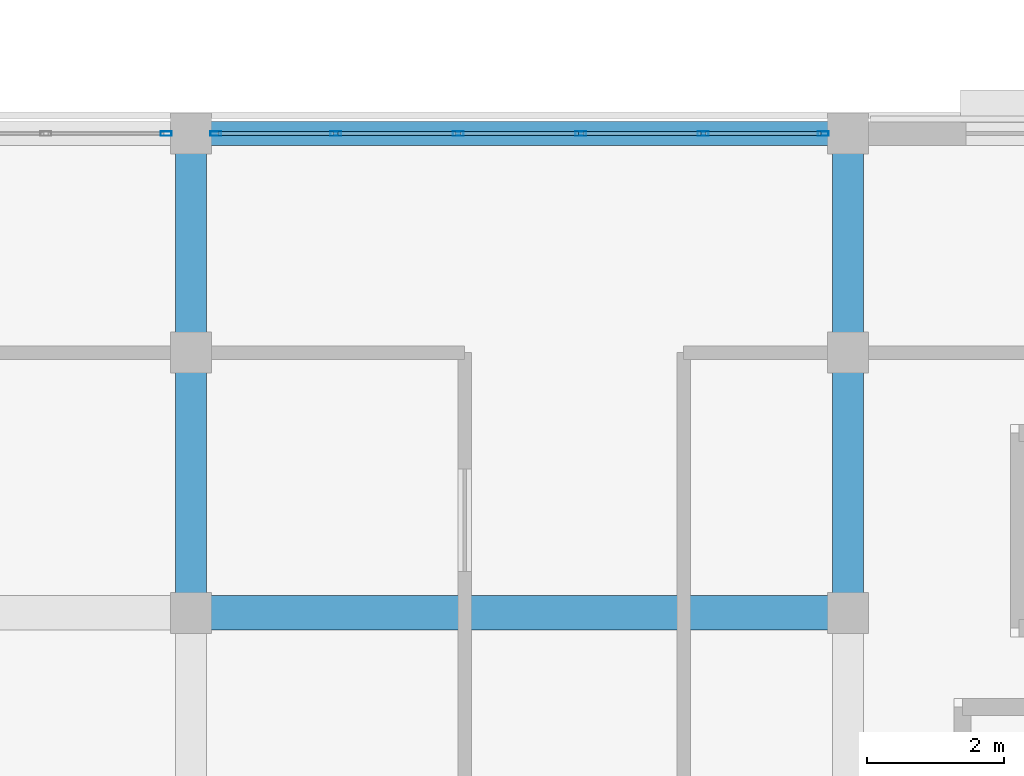
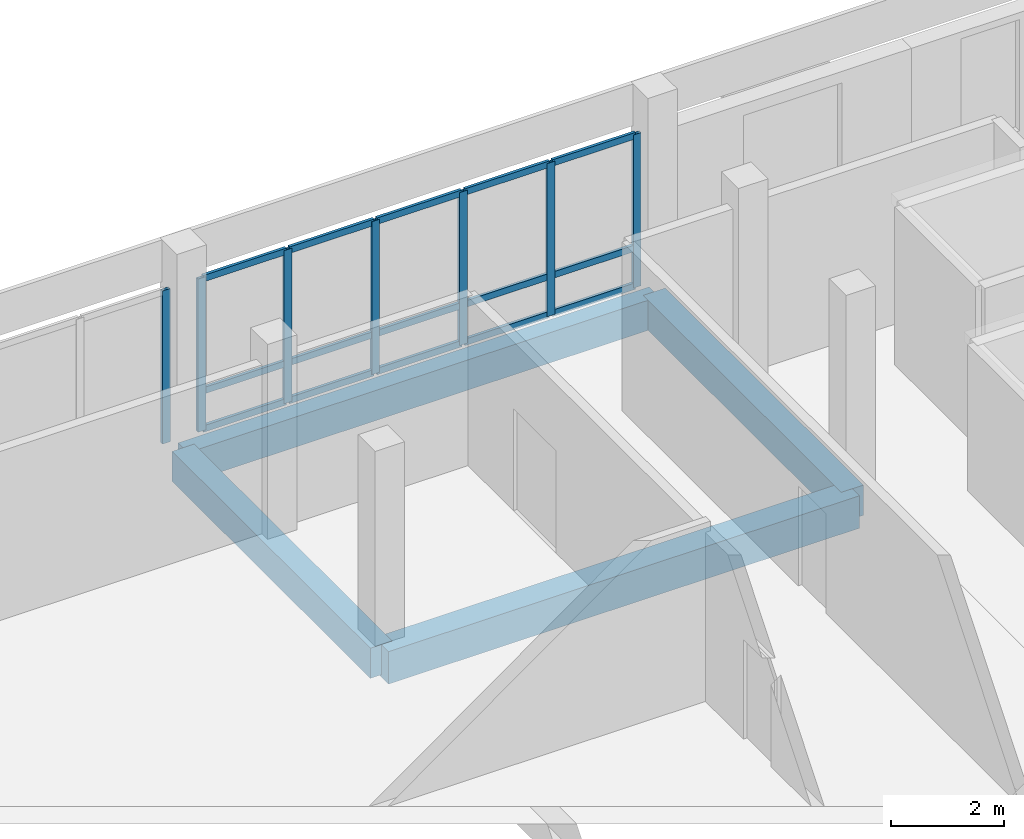
# One storey, part 58 of 93: 22 members, 4 beams, 2 elements without a shape of their own.
"""IFC4 building model written with IfcOpenShell, lengths in metres."""

from ifc_helpers import new_model, si_unit, direction, frame, origin, origin_2d, place, context, subcontext, project, spatial, rectangle, hollow_rectangle, extrude, material, material_profile, profile_set, type_object, element, aggregate, save


model = new_model("IFC4")

# Units and contexts
model_context = context("Model", 3, precision=1e-05, world=origin(), true_north=direction((0.0, 1.0)))
body_context = subcontext(model_context, "Body", "Model", "MODEL_VIEW")
ifc_project = project(units=[si_unit("LENGTHUNIT", "METRE"), si_unit("AREAUNIT", "SQUARE_METRE"), si_unit("VOLUMEUNIT", "CUBIC_METRE"), si_unit("PLANEANGLEUNIT", "RADIAN"), si_unit("MASSUNIT", "GRAM", prefix="KILO")], contexts=[model_context])

# Site, building, storey
site_placement = place(None, origin())
site = spatial("IfcSite", under=ifc_project, at=site_placement, CompositionType="ELEMENT")
building_placement = place(site_placement, origin())
building = spatial("IfcBuilding", under=site, at=building_placement, Name="Vondelvale Polytechnic", CompositionType="ELEMENT")
storey_placement = place(building_placement, frame((0.0, 0.0, 18.0)))
storey = spatial("IfcBuildingStorey", under=building, at=storey_placement, Name="L04", CompositionType="ELEMENT", Elevation=18.0)

# Beams
ifc_material_1 = material(Name="Concrete N40 (f'c = 40 MPa)", Category="concrete")
ifc_material_profile_1 = material_profile(ifc_material_1, rectangle(XDim=0.449951171875, YDim=0.64990234375, at=origin_2d()), Name="RC-BM-450x650")
ifc_profile_set_1 = profile_set([ifc_material_profile_1], Name="Concrete N40 (f'c = 40 MPa)")
beam_type_1 = type_object("IfcBeamType", Name="BM-RC450x650", PredefinedType="BEAM", material=ifc_profile_set_1)
for number, where, z_axis, x_axis, name in (
    (1, (144.0, 20.39990234375, -0.574951171875), (0.0, 1.0, 0.0), (-1.0, 0.0, 0.0), "L04 B B-04"),
    (2, (153.60009765625, 20.39990234375, -0.574951171875), (0.0, 1.0, 0.0), (-1.0, 0.0, 0.0), "L04 B B-04"),
):
    element("IfcBeam", number, at=place(storey_placement, frame(where, z_axis=z_axis, x_axis=x_axis)), inside=storey, type_object=beam_type_1, Name=name, PredefinedType="BEAM", context=body_context, shape_type="SweptSolid", body=[
        extrude(rectangle(XDim=0.449951171875, YDim=0.64990234375, at=origin_2d()), origin(), (0.0, 0.0, 1.0), 7.0),
    ])
ifc_material_profile_2 = material_profile(ifc_material_1, rectangle(XDim=0.5, YDim=0.699951171875, at=origin_2d()), Name="RC-BM-500x700")
ifc_profile_set_2 = profile_set([ifc_material_profile_2], Name="Concrete N40 (f'c = 40 MPa)")
beam_type_2 = type_object("IfcBeamType", Name="BM-RC500x700", PredefinedType="BEAM", material=ifc_profile_set_2)
beam_1_placement = place(storey_placement, frame((144.0, 20.39990234375, -0.60009765625), z_axis=(1.0, 0.0, 0.0), x_axis=(0.0, 1.0, 0.0)))
element("IfcBeam", 3, at=beam_1_placement, inside=storey, type_object=beam_type_2, Name="L04 B B-03", PredefinedType="BEAM", context=body_context, shape_type="SweptSolid", body=[
    extrude(rectangle(XDim=0.5, YDim=0.699951171875, at=origin_2d()), origin(), (0.0, 0.0, 1.0), 9.60009765625),
])

# Curtain wall, member
ifc_material_2 = material(Name="Anodised extruded aluminium 6063-T6", Category="aluminium")
curtain_wall_type = type_object("IfcCurtainWallType", Name="CW-STUDIO-NORTH", PredefinedType="NOTDEFINED", material=ifc_material_2)
curtain_wall_1_placement = place(storey_placement, origin())
curtain_wall_1 = element("IfcCurtainWall", 4, at=curtain_wall_1_placement, inside=storey, type_object=curtain_wall_type, Name="L04 architectural curtain wall CW-01-068", PredefinedType="NOTDEFINED")
ifc_material_profile_3 = material_profile(ifc_material_2, hollow_rectangle(XDim=0.06494140625, YDim=0.159912109375, WallThickness=0.0048828125, at=origin_2d()), Name="CW-MUL-160x65")
ifc_profile_set_3 = profile_set([ifc_material_profile_3], Name="Anodised extruded aluminium 6063-T6")
member_type_1 = type_object("IfcMemberType", Name="CW-MUL-65x160", PredefinedType="MULLION", material=ifc_profile_set_3)
member_1_placement = place(storey_placement, frame((143.637451171875, 27.39990234375, 0.0), z_axis=(0.0, 0.0, 1.0), x_axis=(0.0, 1.0, 0.0)))
member_1 = element("IfcMember", 5, at=member_1_placement, type_object=member_type_1, Name="CW-01-068 mullion 6", PredefinedType="MULLION", context=body_context, shape_type="SweptSolid", body=[
    extrude(hollow_rectangle(XDim=0.06494140625, YDim=0.159912109375, WallThickness=0.0048828125, at=origin_2d()), origin(), (0.0, 0.0, 1.0), 3.300048828125),
])
aggregate(curtain_wall_1, [member_1])

# Curtain wall, members
curtain_wall_2_placement = place(storey_placement, origin())
curtain_wall_2 = element("IfcCurtainWall", 6, at=curtain_wall_2_placement, inside=storey, type_object=curtain_wall_type, Name="L04 architectural curtain wall CW-01-069", PredefinedType="NOTDEFINED")
member_2_placement = place(storey_placement, frame((144.362548828125, 27.39990234375, 0.0), z_axis=(0.0, 0.0, 1.0), x_axis=(0.0, 1.0, 0.0)))
member_2 = element("IfcMember", 7, at=member_2_placement, type_object=member_type_1, Name="CW-01-069 mullion 1", PredefinedType="MULLION", context=body_context, shape_type="SweptSolid", body=[
    extrude(hollow_rectangle(XDim=0.06494140625, YDim=0.159912109375, WallThickness=0.0048828125, at=origin_2d()), origin(), (0.0, 0.0, 1.0), 3.300048828125),
])
member_3_placement = place(storey_placement, frame((146.117919921875, 27.39990234375, 0.0), z_axis=(0.0, 0.0, 1.0), x_axis=(0.0, 1.0, 0.0)))
member_3 = element("IfcMember", 8, at=member_3_placement, type_object=member_type_1, Name="CW-01-069 mullion 2", PredefinedType="MULLION", context=body_context, shape_type="SweptSolid", body=[
    extrude(hollow_rectangle(XDim=0.06494140625, YDim=0.159912109375, WallThickness=0.0048828125, at=origin_2d()), origin(), (0.0, 0.0, 1.0), 3.300048828125),
])
member_4_placement = place(storey_placement, frame((147.906005859375, 27.39990234375, 0.0), z_axis=(0.0, 0.0, 1.0), x_axis=(0.0, 1.0, 0.0)))
member_4 = element("IfcMember", 9, at=member_4_placement, type_object=member_type_1, Name="CW-01-069 mullion 3", PredefinedType="MULLION", context=body_context, shape_type="SweptSolid", body=[
    extrude(hollow_rectangle(XDim=0.06494140625, YDim=0.159912109375, WallThickness=0.0048828125, at=origin_2d()), origin(), (0.0, 0.0, 1.0), 3.300048828125),
])
member_5_placement = place(storey_placement, frame((149.694091796875, 27.39990234375, 0.0), z_axis=(0.0, 0.0, 1.0), x_axis=(0.0, 1.0, 0.0)))
member_5 = element("IfcMember", 10, at=member_5_placement, type_object=member_type_1, Name="CW-01-069 mullion 4", PredefinedType="MULLION", context=body_context, shape_type="SweptSolid", body=[
    extrude(hollow_rectangle(XDim=0.06494140625, YDim=0.159912109375, WallThickness=0.0048828125, at=origin_2d()), origin(), (0.0, 0.0, 1.0), 3.300048828125),
])
member_6_placement = place(storey_placement, frame((151.48193359375, 27.39990234375, 0.0), z_axis=(0.0, 0.0, 1.0), x_axis=(0.0, 1.0, 0.0)))
member_6 = element("IfcMember", 11, at=member_6_placement, type_object=member_type_1, Name="CW-01-069 mullion 5", PredefinedType="MULLION", context=body_context, shape_type="SweptSolid", body=[
    extrude(hollow_rectangle(XDim=0.06494140625, YDim=0.159912109375, WallThickness=0.0048828125, at=origin_2d()), origin(), (0.0, 0.0, 1.0), 3.300048828125),
])
member_7_placement = place(storey_placement, frame((153.237548828125, 27.39990234375, 0.0), z_axis=(0.0, 0.0, 1.0), x_axis=(0.0, 1.0, 0.0)))
member_7 = element("IfcMember", 12, at=member_7_placement, type_object=member_type_1, Name="CW-01-069 mullion 6", PredefinedType="MULLION", context=body_context, shape_type="SweptSolid", body=[
    extrude(hollow_rectangle(XDim=0.06494140625, YDim=0.159912109375, WallThickness=0.0048828125, at=origin_2d()), origin(), (0.0, 0.0, 1.0), 3.300048828125),
])
ifc_material_profile_4 = material_profile(ifc_material_2, hollow_rectangle(XDim=0.06005859375, YDim=0.139892578125, WallThickness=0.00341796875, at=origin_2d()), Name="CW-TRN-140x60")
ifc_profile_set_4 = profile_set([ifc_material_profile_4], Name="Anodised extruded aluminium 6063-T6")
member_type_2 = type_object("IfcMemberType", Name="CW-TRN-60x140", PredefinedType="USERDEFINED", material=ifc_profile_set_4)
member_8_placement = place(storey_placement, frame((144.39501953125, 27.39990234375, 0.030029296875), z_axis=(1.0, 0.0, 0.0), x_axis=(0.0, 1.0, 0.0)))
member_8 = element("IfcMember", 13, at=member_8_placement, type_object=member_type_2, Name="CW-01-069 transom 1.1", ObjectType="TRANSOM", PredefinedType="USERDEFINED", context=body_context, shape_type="SweptSolid", body=[
    extrude(hollow_rectangle(XDim=0.06005859375, YDim=0.139892578125, WallThickness=0.00341796875, at=origin_2d()), origin(), (0.0, 0.0, 1.0), 1.6904296875),
])
member_9_placement = place(storey_placement, frame((144.39501953125, 27.39990234375, 0.85009765625), z_axis=(1.0, 0.0, 0.0), x_axis=(0.0, 1.0, 0.0)))
member_9 = element("IfcMember", 14, at=member_9_placement, type_object=member_type_2, Name="CW-01-069 transom 1.2", ObjectType="TRANSOM", PredefinedType="USERDEFINED", context=body_context, shape_type="SweptSolid", body=[
    extrude(hollow_rectangle(XDim=0.06005859375, YDim=0.139892578125, WallThickness=0.00341796875, at=origin_2d()), origin(), (0.0, 0.0, 1.0), 1.6904296875),
])
member_10_placement = place(storey_placement, frame((144.39501953125, 27.39990234375, 3.27001953125), z_axis=(1.0, 0.0, 0.0), x_axis=(0.0, 1.0, 0.0)))
member_10 = element("IfcMember", 15, at=member_10_placement, type_object=member_type_2, Name="CW-01-069 transom 1.3", ObjectType="TRANSOM", PredefinedType="USERDEFINED", context=body_context, shape_type="SweptSolid", body=[
    extrude(hollow_rectangle(XDim=0.06005859375, YDim=0.139892578125, WallThickness=0.00341796875, at=origin_2d()), origin(), (0.0, 0.0, 1.0), 1.6904296875),
])
member_11_placement = place(storey_placement, frame((146.150390625, 27.39990234375, 0.030029296875), z_axis=(1.0, 0.0, 0.0), x_axis=(0.0, 1.0, 0.0)))
member_11 = element("IfcMember", 16, at=member_11_placement, type_object=member_type_2, Name="CW-01-069 transom 2.1", ObjectType="TRANSOM", PredefinedType="USERDEFINED", context=body_context, shape_type="SweptSolid", body=[
    extrude(hollow_rectangle(XDim=0.06005859375, YDim=0.139892578125, WallThickness=0.00341796875, at=origin_2d()), origin(), (0.0, 0.0, 1.0), 1.72314453125),
])
member_12_placement = place(storey_placement, frame((146.150390625, 27.39990234375, 0.85009765625), z_axis=(1.0, 0.0, 0.0), x_axis=(0.0, 1.0, 0.0)))
member_12 = element("IfcMember", 17, at=member_12_placement, type_object=member_type_2, Name="CW-01-069 transom 2.2", ObjectType="TRANSOM", PredefinedType="USERDEFINED", context=body_context, shape_type="SweptSolid", body=[
    extrude(hollow_rectangle(XDim=0.06005859375, YDim=0.139892578125, WallThickness=0.00341796875, at=origin_2d()), origin(), (0.0, 0.0, 1.0), 1.72314453125),
])
member_13_placement = place(storey_placement, frame((146.150390625, 27.39990234375, 3.27001953125), z_axis=(1.0, 0.0, 0.0), x_axis=(0.0, 1.0, 0.0)))
member_13 = element("IfcMember", 18, at=member_13_placement, type_object=member_type_2, Name="CW-01-069 transom 2.3", ObjectType="TRANSOM", PredefinedType="USERDEFINED", context=body_context, shape_type="SweptSolid", body=[
    extrude(hollow_rectangle(XDim=0.06005859375, YDim=0.139892578125, WallThickness=0.00341796875, at=origin_2d()), origin(), (0.0, 0.0, 1.0), 1.72314453125),
])
member_14_placement = place(storey_placement, frame((147.9384765625, 27.39990234375, 0.030029296875), z_axis=(1.0, 0.0, 0.0), x_axis=(0.0, 1.0, 0.0)))
member_14 = element("IfcMember", 19, at=member_14_placement, type_object=member_type_2, Name="CW-01-069 transom 3.1", ObjectType="TRANSOM", PredefinedType="USERDEFINED", context=body_context, shape_type="SweptSolid", body=[
    extrude(hollow_rectangle(XDim=0.06005859375, YDim=0.139892578125, WallThickness=0.00341796875, at=origin_2d()), origin(), (0.0, 0.0, 1.0), 1.72314453125),
])
member_15_placement = place(storey_placement, frame((147.9384765625, 27.39990234375, 0.85009765625), z_axis=(1.0, 0.0, 0.0), x_axis=(0.0, 1.0, 0.0)))
member_15 = element("IfcMember", 20, at=member_15_placement, type_object=member_type_2, Name="CW-01-069 transom 3.2", ObjectType="TRANSOM", PredefinedType="USERDEFINED", context=body_context, shape_type="SweptSolid", body=[
    extrude(hollow_rectangle(XDim=0.06005859375, YDim=0.139892578125, WallThickness=0.00341796875, at=origin_2d()), origin(), (0.0, 0.0, 1.0), 1.72314453125),
])
member_16_placement = place(storey_placement, frame((147.9384765625, 27.39990234375, 3.27001953125), z_axis=(1.0, 0.0, 0.0), x_axis=(0.0, 1.0, 0.0)))
member_16 = element("IfcMember", 21, at=member_16_placement, type_object=member_type_2, Name="CW-01-069 transom 3.3", ObjectType="TRANSOM", PredefinedType="USERDEFINED", context=body_context, shape_type="SweptSolid", body=[
    extrude(hollow_rectangle(XDim=0.06005859375, YDim=0.139892578125, WallThickness=0.00341796875, at=origin_2d()), origin(), (0.0, 0.0, 1.0), 1.72314453125),
])
member_17_placement = place(storey_placement, frame((149.7265625, 27.39990234375, 0.030029296875), z_axis=(1.0, 0.0, 0.0), x_axis=(0.0, 1.0, 0.0)))
member_17 = element("IfcMember", 22, at=member_17_placement, type_object=member_type_2, Name="CW-01-069 transom 4.1", ObjectType="TRANSOM", PredefinedType="USERDEFINED", context=body_context, shape_type="SweptSolid", body=[
    extrude(hollow_rectangle(XDim=0.06005859375, YDim=0.139892578125, WallThickness=0.00341796875, at=origin_2d()), origin(), (0.0, 0.0, 1.0), 1.722900390625),
])
member_18_placement = place(storey_placement, frame((149.7265625, 27.39990234375, 0.85009765625), z_axis=(1.0, 0.0, 0.0), x_axis=(0.0, 1.0, 0.0)))
member_18 = element("IfcMember", 23, at=member_18_placement, type_object=member_type_2, Name="CW-01-069 transom 4.2", ObjectType="TRANSOM", PredefinedType="USERDEFINED", context=body_context, shape_type="SweptSolid", body=[
    extrude(hollow_rectangle(XDim=0.06005859375, YDim=0.139892578125, WallThickness=0.00341796875, at=origin_2d()), origin(), (0.0, 0.0, 1.0), 1.722900390625),
])
member_19_placement = place(storey_placement, frame((149.7265625, 27.39990234375, 3.27001953125), z_axis=(1.0, 0.0, 0.0), x_axis=(0.0, 1.0, 0.0)))
member_19 = element("IfcMember", 24, at=member_19_placement, type_object=member_type_2, Name="CW-01-069 transom 4.3", ObjectType="TRANSOM", PredefinedType="USERDEFINED", context=body_context, shape_type="SweptSolid", body=[
    extrude(hollow_rectangle(XDim=0.06005859375, YDim=0.139892578125, WallThickness=0.00341796875, at=origin_2d()), origin(), (0.0, 0.0, 1.0), 1.722900390625),
])
member_20_placement = place(storey_placement, frame((151.514404296875, 27.39990234375, 0.030029296875), z_axis=(1.0, 0.0, 0.0), x_axis=(0.0, 1.0, 0.0)))
member_20 = element("IfcMember", 25, at=member_20_placement, type_object=member_type_2, Name="CW-01-069 transom 5.1", ObjectType="TRANSOM", PredefinedType="USERDEFINED", context=body_context, shape_type="SweptSolid", body=[
    extrude(hollow_rectangle(XDim=0.06005859375, YDim=0.139892578125, WallThickness=0.00341796875, at=origin_2d()), origin(), (0.0, 0.0, 1.0), 1.690673828125),
])
member_21_placement = place(storey_placement, frame((151.514404296875, 27.39990234375, 0.85009765625), z_axis=(1.0, 0.0, 0.0), x_axis=(0.0, 1.0, 0.0)))
member_21 = element("IfcMember", 26, at=member_21_placement, type_object=member_type_2, Name="CW-01-069 transom 5.2", ObjectType="TRANSOM", PredefinedType="USERDEFINED", context=body_context, shape_type="SweptSolid", body=[
    extrude(hollow_rectangle(XDim=0.06005859375, YDim=0.139892578125, WallThickness=0.00341796875, at=origin_2d()), origin(), (0.0, 0.0, 1.0), 1.690673828125),
])
member_22_placement = place(storey_placement, frame((151.514404296875, 27.39990234375, 3.27001953125), z_axis=(1.0, 0.0, 0.0), x_axis=(0.0, 1.0, 0.0)))
member_22 = element("IfcMember", 27, at=member_22_placement, type_object=member_type_2, Name="CW-01-069 transom 5.3", ObjectType="TRANSOM", PredefinedType="USERDEFINED", context=body_context, shape_type="SweptSolid", body=[
    extrude(hollow_rectangle(XDim=0.06005859375, YDim=0.139892578125, WallThickness=0.00341796875, at=origin_2d()), origin(), (0.0, 0.0, 1.0), 1.690673828125),
])
aggregate(curtain_wall_2, [member_2, member_3, member_4, member_5, member_6, member_7, member_8, member_9, member_10, member_11, member_12, member_13, member_14, member_15, member_16, member_17, member_18, member_19, member_20, member_21, member_22])

# Beam
ifc_material_3 = material(Name="Precast concrete N40 (f'c = 40 MPa)", Category="concrete")
ifc_material_profile_5 = material_profile(ifc_material_3, rectangle(XDim=0.35009765625, YDim=0.64990234375, at=origin_2d()), Name="RC-SPN-350x650")
ifc_profile_set_5 = profile_set([ifc_material_profile_5], Name="Precast concrete N40 (f'c = 40 MPa)")
beam_type_3 = type_object("IfcBeamType", Name="SPN-PRE350x650", PredefinedType="SPANDREL", material=ifc_profile_set_5)
beam_2_placement = place(storey_placement, frame((144.0, 27.39990234375, -0.574951171875), z_axis=(1.0, 0.0, 0.0), x_axis=(0.0, 1.0, 0.0)))
element("IfcBeam", 28, at=beam_2_placement, inside=storey, type_object=beam_type_3, Name="L04 B SP-02", PredefinedType="SPANDREL", context=body_context, shape_type="SweptSolid", body=[
    extrude(rectangle(XDim=0.35009765625, YDim=0.64990234375, at=origin_2d()), origin(), (0.0, 0.0, 1.0), 9.60009765625),
])

save(model, "model.ifc")
